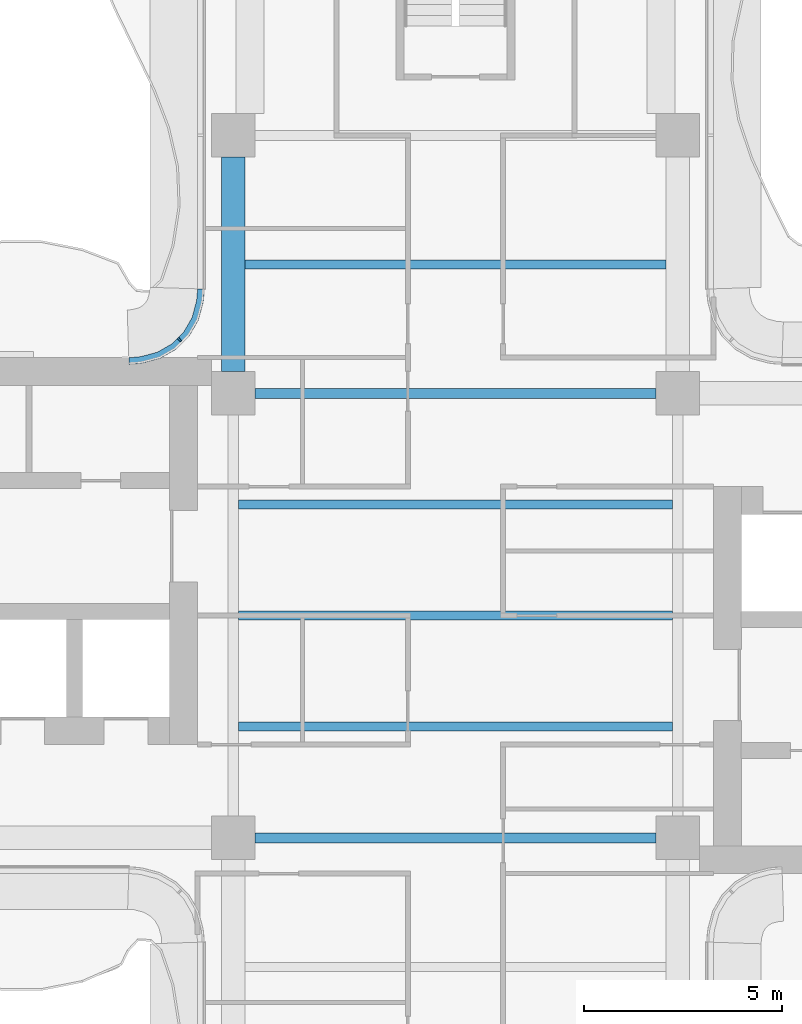
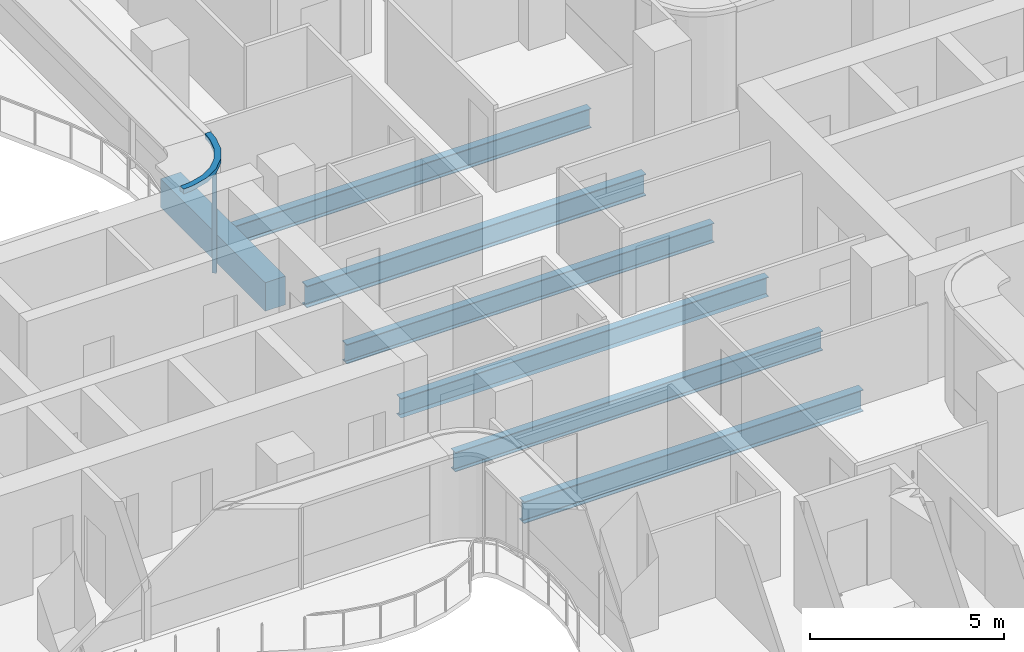
# One storey, part 4 of 16: 7 beams, 2 members, 1 element without a shape of its own.
"""IFC4 building model written with IfcOpenShell, lengths in metres."""

from ifc_helpers import new_model, si_unit, direction, frame, origin, origin_2d, place, context, subcontext, project, spatial, polyline, rectangle, i_section, outline, extrude, source, transform, mapped, material, layer, layer_set, material_profile, profile_set, type_object, element, aggregate, save


model = new_model("IFC4")

# Units and contexts
model_context = context("Model", 3, precision=1e-05, world=origin(), true_north=direction((0.0, 1.0)))
body_context = subcontext(model_context, "Body", "Model", "MODEL_VIEW")
ifc_project = project(units=[si_unit("LENGTHUNIT", "METRE"), si_unit("AREAUNIT", "SQUARE_METRE"), si_unit("VOLUMEUNIT", "CUBIC_METRE"), si_unit("PLANEANGLEUNIT", "RADIAN"), si_unit("MASSUNIT", "GRAM", prefix="KILO")], contexts=[model_context])

# Site, building, storey
site_placement = place(None, origin())
site = spatial("IfcSite", under=ifc_project, at=site_placement, CompositionType="ELEMENT")
building_placement = place(site_placement, origin())
building = spatial("IfcBuilding", under=site, at=building_placement, Name="Trellis Farm Tower", CompositionType="ELEMENT")
storey_placement = place(building_placement, frame((0.0, 0.0, 267.5)))
storey = spatial("IfcBuildingStorey", under=building, at=storey_placement, Name="L60", CompositionType="ELEMENT", Elevation=267.5)

# Beams
ifc_material_1 = material(Name="Steel S355", Category="steel")
ifc_material_profile_1 = material_profile(ifc_material_1, i_section(OverallWidth=0.22900390625, OverallDepth=0.6123046875, WebThickness=0.011962890625, FlangeThickness=0.01953125, FilletRadius=0.0126953125, at=origin_2d()), Name="UB 610x229x125")
ifc_profile_set_1 = profile_set([ifc_material_profile_1], Name="Steel S355")
beam_type_1 = type_object("IfcBeamType", Name="UB 610x229x125 joist", PredefinedType="JOIST", material=ifc_profile_set_1)
shared_shape_1 = source(origin(), body_context, "Body", "SweptSolid", [
    extrude(i_section(OverallWidth=0.22900390625, OverallDepth=0.6123046875, WebThickness=0.011962890625, FlangeThickness=0.01953125, FilletRadius=0.0126953125, at=origin_2d()), origin(), (0.0, 0.0, 1.0), 10.9462890625),
])
for number, where, z_axis, x_axis, name in (
    (1, (-5.47314453125, -2.800048828125, -0.506103515625), (1.0, 0.0, 0.0), (0.0, 1.0, 0.0), "Floor beam"),
    (2, (-5.47314453125, 0.0, -0.506103515625), (1.0, 0.0, 0.0), (0.0, 1.0, 0.0), "Floor beam"),
    (3, (-5.47314453125, 2.800048828125, -0.506103515625), (1.0, 0.0, 0.0), (0.0, 1.0, 0.0), "Floor beam"),
):
    element("IfcBeam", number, at=place(storey_placement, frame(where, z_axis=z_axis, x_axis=x_axis)), inside=storey, type_object=beam_type_1, Name=name, PredefinedType="JOIST", context=body_context, shape_type="MappedRepresentation", body=[
        mapped(shared_shape_1, transform((0.0, 0.0, 0.0))),
    ])
shared_shape_2 = source(origin(), body_context, "Body", "SweptSolid", [
    extrude(i_section(OverallWidth=0.22900390625, OverallDepth=0.6123046875, WebThickness=0.011962890625, FlangeThickness=0.01953125, FilletRadius=0.0126953125, at=origin_2d()), origin(), (0.0, 0.0, 1.0), 10.60009765625),
])
beam_1_placement = place(storey_placement, frame((-5.300048828125, 8.85009765625, -0.506103515625), z_axis=(1.0, 0.0, 0.0), x_axis=(0.0, 1.0, 0.0)))
element("IfcBeam", 4, at=beam_1_placement, inside=storey, type_object=beam_type_1, Name="Floor beam", PredefinedType="JOIST", context=body_context, shape_type="MappedRepresentation", body=[
    mapped(shared_shape_2, transform((0.0, 0.0, 0.0))),
])
ifc_material_profile_2 = material_profile(ifc_material_1, i_section(OverallWidth=0.253662109375, OverallDepth=0.68359375, WebThickness=0.012451171875, FlangeThickness=0.021728515625, FilletRadius=0.01513671875, at=origin_2d()), Name="UB 686x254x140")
ifc_profile_set_2 = profile_set([ifc_material_profile_2], Name="Steel S355")
beam_type_2 = type_object("IfcBeamType", Name="UB 686x254x140", PredefinedType="BEAM", material=ifc_profile_set_2)
shared_shape_3 = source(origin(), body_context, "Body", "SweptSolid", [
    extrude(i_section(OverallWidth=0.253662109375, OverallDepth=0.68359375, WebThickness=0.012451171875, FlangeThickness=0.021728515625, FilletRadius=0.01513671875, at=origin_2d()), origin(), (0.0, 0.0, 1.0), 10.10009765625),
])
for number, where, z_axis, x_axis, name in (
    (5, (-5.050048828125, -5.60009765625, -0.541748046875), (1.0, 0.0, 0.0), (0.0, 1.0, 0.0), "Girder"),
    (6, (-5.050048828125, 5.60009765625, -0.541748046875), (1.0, 0.0, 0.0), (0.0, 1.0, 0.0), "Girder"),
):
    element("IfcBeam", number, at=place(storey_placement, frame(where, z_axis=z_axis, x_axis=x_axis)), inside=storey, type_object=beam_type_2, Name=name, PredefinedType="BEAM", context=body_context, shape_type="MappedRepresentation", body=[
        mapped(shared_shape_3, transform((0.0, 0.0, 0.0))),
    ])
ifc_material_2 = material(Name="Concrete C60/75", Category="concrete")
ifc_material_profile_3 = material_profile(ifc_material_2, rectangle(XDim=0.60009765625, YDim=0.89990234375, at=origin_2d()), Name="RC spandrel beam 600x900 C60/75")
ifc_profile_set_3 = profile_set([ifc_material_profile_3], Name="Concrete C60/75")
beam_type_3 = type_object("IfcBeamType", Name="RC spandrel beam 600x900 C60/75", PredefinedType="SPANDREL", material=ifc_profile_set_3)
shared_shape_4 = source(origin(), body_context, "Body", "SweptSolid", [
    extrude(rectangle(XDim=0.60009765625, YDim=0.89990234375, at=origin_2d()), origin(), (0.0, 0.0, 1.0), 5.400146484375),
])
beam_2_placement = place(storey_placement, frame((-5.60009765625, 6.14990234375, -0.64990234375), z_axis=(0.0, 1.0, 0.0), x_axis=(-1.0, 0.0, 0.0)))
element("IfcBeam", 7, at=beam_2_placement, inside=storey, type_object=beam_type_3, Name="Girder", PredefinedType="SPANDREL", context=body_context, shape_type="MappedRepresentation", body=[
    mapped(shared_shape_4, transform((0.0, 0.0, 0.0))),
])

# Curtain wall, members
ifc_material_3 = material(Name="Aluminium and glass curtain wall", Category="aluminium")
ifc_layer_1 = layer(ifc_material_3, 0.166015625)
ifc_layer_set_1 = layer_set([ifc_layer_1], Name="WINTER GARDEN CURTAIN WALL CW3")
curtain_wall_type = type_object("IfcCurtainWallType", Name="WINTER GARDEN CURTAIN WALL CW3", PredefinedType="NOTDEFINED", material=ifc_layer_set_1)
curtain_wall_placement = place(storey_placement, origin())
curtain_wall = element("IfcCurtainWall", 8, at=curtain_wall_placement, inside=storey, type_object=curtain_wall_type, Name="CW3 004", PredefinedType="NOTDEFINED")
ifc_material_4 = material(Name="Aluminium extrusion 6063-T6", Category="aluminium")
ifc_layer_2 = layer(ifc_material_4, 0.169921875)
ifc_layer_set_2 = layer_set([ifc_layer_2], Name="Aluminium extrusion 6063-T6")
member_type_1 = type_object("IfcMemberType", Name="CW3 TRANSOM 170x150", PredefinedType="USERDEFINED", material=ifc_layer_set_2)
shared_shape_5 = source(origin(), body_context, "Body", "SweptSolid", [
    extrude(outline(polyline([(-6.5, 8.2314453125), (-6.513916015625, 8.01953125), (-6.527587890625, 7.91552734375), (-6.63671875, 7.508544921875), (-6.846923828125, 7.144287109375), (-7.144287109375, 6.846923828125), (-7.508544921875, 6.63671875), (-7.91552734375, 6.527587890625), (-8.01953125, 6.513916015625), (-8.2314453125, 6.5), (-8.225830078125, 6.330078125), (-8.0029296875, 6.3447265625), (-7.88232421875, 6.360595703125), (-7.44287109375, 6.478271484375), (-7.0400390625, 6.7109375), (-6.7109375, 7.0400390625), (-6.478271484375, 7.44287109375), (-6.360595703125, 7.88232421875), (-6.3447265625, 8.0029296875), (-6.330078125, 8.225830078125), (-6.5, 8.2314453125)])), origin(), (0.0, 0.0, 1.0), 0.14990234375),
])
member_1_placement = place(storey_placement, frame((0.0, 0.0, 3.300048828125)))
member_1 = element("IfcMember", 9, at=member_1_placement, type_object=member_type_1, Name="TR3 004", ObjectType="TRANSOM", PredefinedType="USERDEFINED", context=body_context, shape_type="MappedRepresentation", body=[
    mapped(shared_shape_5, transform((0.0, 0.0, 0.0))),
])
ifc_material_profile_4 = material_profile(ifc_material_4, rectangle(XDim=0.050048828125, YDim=0.1201171875, at=origin_2d()), Name="MULLION 50x120")
ifc_profile_set_4 = profile_set([ifc_material_profile_4], Name="Aluminium extrusion 6063-T6")
member_type_2 = type_object("IfcMemberType", Name="CW3 MULLION 50x120", PredefinedType="MULLION", material=ifc_profile_set_4)
shared_shape_6 = source(origin(), body_context, "Body", "SweptSolid", [
    extrude(rectangle(XDim=0.050048828125, YDim=0.1201171875, at=origin_2d()), origin(), (0.0, 0.0, 1.0), 3.300048828125),
])
member_2_placement = place(storey_placement, frame((-6.953125, 6.953125, 0.0), z_axis=(0.0, 0.0, 1.0), x_axis=(-0.707106781187, -0.707106781187, 0.0)))
member_2 = element("IfcMember", 10, at=member_2_placement, type_object=member_type_2, Name="MU3 004-01", PredefinedType="MULLION", context=body_context, shape_type="MappedRepresentation", body=[
    mapped(shared_shape_6, transform((0.0, 0.0, 0.0))),
])
aggregate(curtain_wall, [member_2, member_1])

save(model, "model.ifc")
